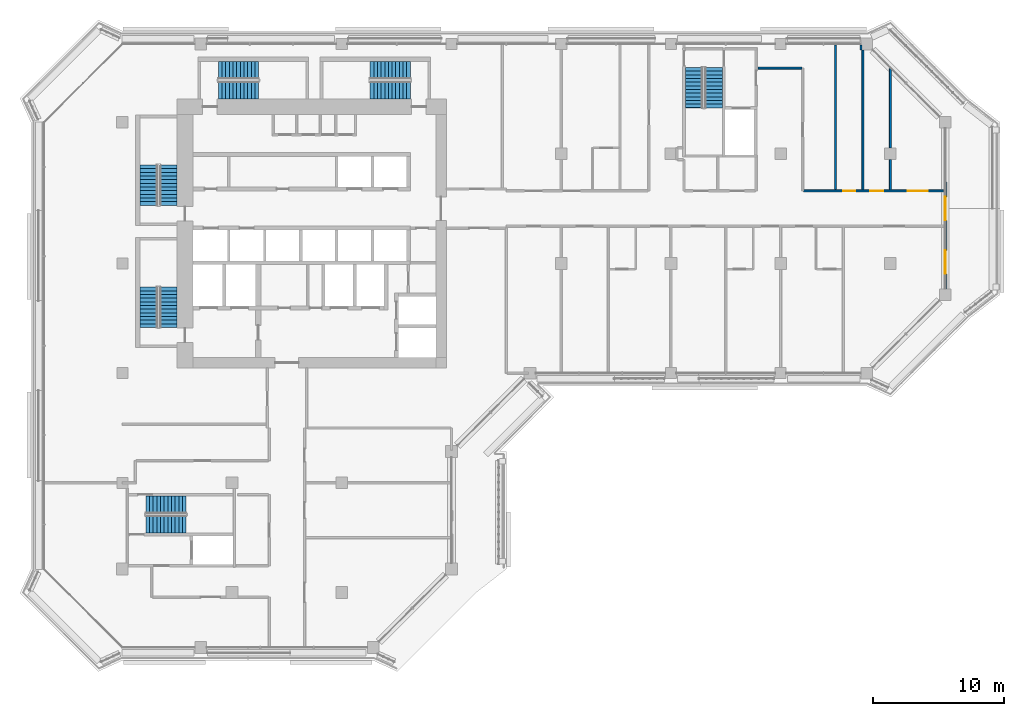
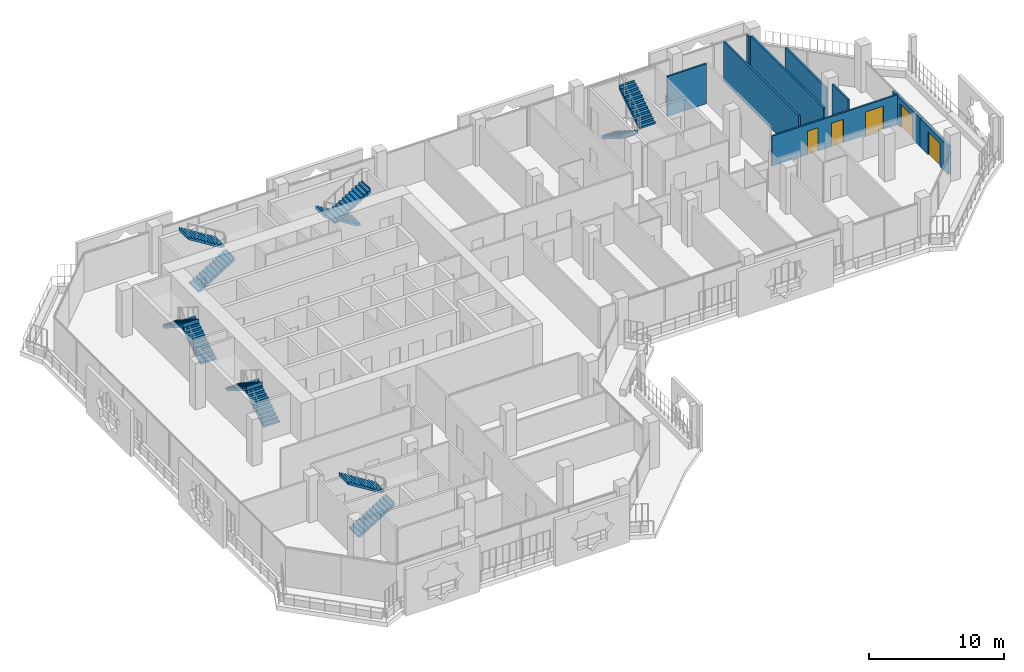
# One storey, part 13 of 21: 12 stair flights, 9 walls, 5 doors, 5 openings, 6 elements without a shape of their own.
"""IFC4 building model written with IfcOpenShell, lengths in metres."""

from ifc_helpers import new_model, si_unit, direction, frame, frame_2d, origin, place, context, subcontext, project, spatial, polyline, rectangle, outline, extrude, material, layer, layer_set, type_object, element, fill, aggregate, save


model = new_model("IFC4")

# Units and contexts
model_context = context("Model", 3, precision=1e-05, world=origin(), true_north=direction((0.0, 1.0)))
body_context = subcontext(model_context, "Body", "Model", "MODEL_VIEW")
ifc_project = project(units=[si_unit("LENGTHUNIT", "METRE"), si_unit("AREAUNIT", "SQUARE_METRE"), si_unit("VOLUMEUNIT", "CUBIC_METRE"), si_unit("PLANEANGLEUNIT", "RADIAN"), si_unit("MASSUNIT", "GRAM", prefix="KILO")], contexts=[model_context])

# Site, building, storey
site_placement = place(None, origin())
site = spatial("IfcSite", under=ifc_project, at=site_placement, CompositionType="ELEMENT")
building_placement = place(site_placement, origin())
building = spatial("IfcBuilding", under=site, at=building_placement, Name="Kawkab Arch Medical Tower", CompositionType="ELEMENT")
storey_placement = place(building_placement, frame((0.0, 0.0, 243.199951171875)))
storey = spatial("IfcBuildingStorey", under=building, at=storey_placement, Name="L56", CompositionType="ELEMENT", Elevation=243.199951171875)

# Wall, opening, door
ifc_material_1 = material(Name="Bronze clad insulated wall panel")
ifc_layer_1 = layer(ifc_material_1, 0.25)
ifc_layer_set_1 = layer_set([ifc_layer_1], Name="Bronze clad insulated wall panel")
wall_type_1 = type_object("IfcWallType", Name="External wall bay 250", PredefinedType="SOLIDWALL", material=ifc_layer_set_1)
wall_1_placement = place(storey_placement, frame((63.0, -18.75, 0.0), z_axis=(0.0, 0.0, 1.0), x_axis=(0.0, 1.0, 0.0)))
wall_1 = element("IfcWall", 1, at=wall_1_placement, inside=storey, type_object=wall_type_1, Name="External wall bay L56.R09.1.1", PredefinedType="SOLIDWALL", context=body_context, shape_type="SweptSolid", body=[
    extrude(rectangle(XDim=4.10009765625, YDim=0.25, at=frame_2d((2.050048828125, 0.0))), origin(), (0.0, 0.0, 1.0), 2.580078125),
])
opening_1_placement = place(wall_1_placement, frame((1.14990234375, 0.0, 0.0)))
opening_1 = element("IfcOpeningElement", 2, at=opening_1_placement, cuts=wall_1, Name="Opening W56-702", PredefinedType="OPENING", context=body_context, shape_type="SweptSolid", body=[
    extrude(rectangle(XDim=1.800048828125, YDim=2.10009765625, at=frame_2d((0.89990234375, 1.050048828125))), frame((0.0, 0.135009765625, 0.0), z_axis=(0.0, -1.0, 0.0), x_axis=(1.0, 0.0, 0.0)), (0.0, 0.0, 1.0), 0.27001953125),
])
ifc_material_2 = material(Name="Bronze anodised aluminium door with tinted glass", Category="aluminium")
door_type_1 = type_object("IfcDoorType", Name="Double external door 1800 x 2100", OperationType="DOUBLE_DOOR_SINGLE_SWING", PredefinedType="DOOR", material=ifc_material_2)
door_1_placement = place(opening_1_placement, origin())
door_1 = element("IfcDoor", 3, at=door_1_placement, inside=storey, type_object=door_type_1, Name="External door L56.R09.1.1", OperationType="DOUBLE_DOOR_SINGLE_SWING", OverallHeight=2.10009765625, OverallWidth=1.800048828125, PredefinedType="DOOR", context=body_context, shape_type="SweptSolid", body=[
    extrude(rectangle(XDim=1.800048828125, YDim=2.10009765625, at=frame_2d((0.89990234375, 1.050048828125))), frame((0.0, 0.02490234375, 0.0), z_axis=(0.0, -1.0, 0.0), x_axis=(1.0, 0.0, 0.0)), (0.0, 0.0, 1.0), 0.050048828125),
])
fill(opening_1, door_1)

wall_2_placement = place(storey_placement, frame((63.0, -14.64990234375, 0.0), z_axis=(0.0, 0.0, 1.0), x_axis=(0.0, 1.0, 0.0)))
wall_2 = element("IfcWall", 4, at=wall_2_placement, inside=storey, type_object=wall_type_1, Name="External wall bay L56.R09.1.2", PredefinedType="SOLIDWALL", context=body_context, shape_type="SweptSolid", body=[
    extrude(rectangle(XDim=4.099853515625, YDim=0.25, at=frame_2d((2.0498046875, 0.0))), origin(), (0.0, 0.0, 1.0), 2.580078125),
])
opening_2_placement = place(wall_2_placement, frame((1.14990234375, 0.0, 0.0)))
opening_2 = element("IfcOpeningElement", 5, at=opening_2_placement, cuts=wall_2, Name="Opening W56-702", PredefinedType="OPENING", context=body_context, shape_type="SweptSolid", body=[
    extrude(rectangle(XDim=1.800048828125, YDim=2.10009765625, at=frame_2d((0.89990234375, 1.050048828125))), frame((0.0, 0.135009765625, 0.0), z_axis=(0.0, -1.0, 0.0), x_axis=(1.0, 0.0, 0.0)), (0.0, 0.0, 1.0), 0.27001953125),
])
door_2_placement = place(opening_2_placement, origin())
door_2 = element("IfcDoor", 6, at=door_2_placement, inside=storey, type_object=door_type_1, Name="External door L56.R09.1.2", OperationType="DOUBLE_DOOR_SINGLE_SWING", OverallHeight=2.10009765625, OverallWidth=1.800048828125, PredefinedType="DOOR", context=body_context, shape_type="SweptSolid", body=[
    extrude(rectangle(XDim=1.800048828125, YDim=2.10009765625, at=frame_2d((0.89990234375, 1.050048828125))), frame((0.0, 0.02490234375, 0.0), z_axis=(0.0, -1.0, 0.0), x_axis=(1.0, 0.0, 0.0)), (0.0, 0.0, 1.0), 0.050048828125),
])
fill(opening_2, door_2)

# Wall, openings, doors
ifc_material_3 = material(Name="Gypsum board partition on steel studs, mineral wool", Category="steel")
ifc_layer_2 = layer(ifc_material_3, 0.14990234375)
ifc_layer_set_2 = layer_set([ifc_layer_2], Name="Gypsum board partition on steel studs, mineral wool")
wall_type_2 = type_object("IfcWallType", Name="Partition 150", PredefinedType="PARTITIONING", material=ifc_layer_set_2)
wall_3_placement = place(storey_placement, frame((52.16796875, -11.25, 0.0), z_axis=(0.0, 0.0, 1.0), x_axis=(1.0, 0.0, 0.0)))
wall_3 = element("IfcWall", 7, at=wall_3_placement, inside=storey, type_object=wall_type_2, Name="Partition 150 w024", PredefinedType="PARTITIONING", context=body_context, shape_type="SweptSolid", body=[
    extrude(rectangle(XDim=10.751953125, YDim=0.14990234375, at=frame_2d((5.3759765625, 0.0))), origin(), (0.0, 0.0, 1.0), 2.699951171875),
])
opening_3_placement = place(wall_3_placement, frame((3.031982421875, 0.0, 0.0)))
opening_3 = element("IfcOpeningElement", 8, at=opening_3_placement, cuts=wall_3, Name="Opening W56-010", PredefinedType="OPENING", context=body_context, shape_type="SweptSolid", body=[
    extrude(rectangle(XDim=0.89990234375, YDim=2.10009765625, at=frame_2d((0.449951171875, 1.050048828125))), frame((0.0, 0.0849609375, 0.0), z_axis=(0.0, -1.0, 0.0), x_axis=(1.0, 0.0, 0.0)), (0.0, 0.0, 1.0), 0.169921875),
])
opening_4_placement = place(wall_3_placement, frame((5.08203125, 0.0, 0.0)))
opening_4 = element("IfcOpeningElement", 9, at=opening_4_placement, cuts=wall_3, Name="Opening W56-011", PredefinedType="OPENING", context=body_context, shape_type="SweptSolid", body=[
    extrude(rectangle(XDim=1.0, YDim=2.10009765625, at=frame_2d((0.5, 1.050048828125))), frame((0.0, 0.0849609375, 0.0), z_axis=(0.0, -1.0, 0.0), x_axis=(1.0, 0.0, 0.0)), (0.0, 0.0, 1.0), 0.169921875),
])
opening_5_placement = place(wall_3_placement, frame((7.98193359375, 0.0, 0.0)))
opening_5 = element("IfcOpeningElement", 10, at=opening_5_placement, cuts=wall_3, Name="Opening W56-005", PredefinedType="OPENING", context=body_context, shape_type="SweptSolid", body=[
    extrude(rectangle(XDim=1.5, YDim=2.10009765625, at=frame_2d((0.75, 1.050048828125))), frame((0.0, 0.0849609375, 0.0), z_axis=(0.0, -1.0, 0.0), x_axis=(1.0, 0.0, 0.0)), (0.0, 0.0, 1.0), 0.169921875),
])
ifc_material_4 = material(Name="Hollow metal door leaf")
door_type_2 = type_object("IfcDoorType", Name="Double door 1500x2100 FD30S", OperationType="NOTDEFINED", PredefinedType="DOOR", material=ifc_material_4)
door_3_placement = place(opening_5_placement, origin())
door_3 = element("IfcDoor", 11, at=door_3_placement, inside=storey, type_object=door_type_2, Name="Door W56-005", OperationType="DOUBLE_DOOR_SINGLE_SWING", OverallHeight=2.10009765625, OverallWidth=1.5, PredefinedType="DOOR", context=body_context, shape_type="SweptSolid", body=[
    extrude(rectangle(XDim=1.5, YDim=2.10009765625, at=frame_2d((0.75, 1.050048828125))), frame((0.0, 0.02490234375, 0.0), z_axis=(0.0, -1.0, 0.0), x_axis=(1.0, 0.0, 0.0)), (0.0, 0.0, 1.0), 0.050048828125),
])
fill(opening_5, door_3)
ifc_material_5 = material(Name="Timber door leaf", Category="wood")
door_type_3 = type_object("IfcDoorType", Name="Single door 1000x2100", OperationType="NOTDEFINED", PredefinedType="DOOR", material=ifc_material_5)
door_4_placement = place(opening_4_placement, origin())
door_4 = element("IfcDoor", 12, at=door_4_placement, inside=storey, type_object=door_type_3, Name="Door W56-011", OperationType="SINGLE_SWING_LEFT", OverallHeight=2.10009765625, OverallWidth=1.0, PredefinedType="DOOR", context=body_context, shape_type="SweptSolid", body=[
    extrude(rectangle(XDim=1.0, YDim=2.10009765625, at=frame_2d((0.5, 1.050048828125))), frame((0.0, 0.02490234375, 0.0), z_axis=(0.0, -1.0, 0.0), x_axis=(1.0, 0.0, 0.0)), (0.0, 0.0, 1.0), 0.050048828125),
])
fill(opening_4, door_4)
ifc_material_6 = material(Name="Timber door leaf", Category="wood")
door_type_4 = type_object("IfcDoorType", Name="Single door 900x2100", OperationType="NOTDEFINED", PredefinedType="DOOR", material=ifc_material_6)
door_5_placement = place(opening_3_placement, origin())
door_5 = element("IfcDoor", 13, at=door_5_placement, inside=storey, type_object=door_type_4, Name="Door W56-010", OperationType="SINGLE_SWING_LEFT", OverallHeight=2.10009765625, OverallWidth=0.89990234375, PredefinedType="DOOR", context=body_context, shape_type="SweptSolid", body=[
    extrude(rectangle(XDim=0.89990234375, YDim=2.10009765625, at=frame_2d((0.449951171875, 1.050048828125))), frame((0.0, 0.02490234375, 0.0), z_axis=(0.0, -1.0, 0.0), x_axis=(1.0, 0.0, 0.0)), (0.0, 0.0, 1.0), 0.050048828125),
])
fill(opening_3, door_5)

# Walls
wall_4_placement = place(storey_placement, frame((48.679931640625, -1.85009765625, 0.0), z_axis=(0.0, 0.0, 1.0), x_axis=(1.0, 0.0, 0.0)))
element("IfcWall", 14, at=wall_4_placement, inside=storey, type_object=wall_type_2, Name="Partition 150 w028", PredefinedType="PARTITIONING", context=body_context, shape_type="SweptSolid", body=[
    extrude(rectangle(XDim=3.336181640625, YDim=0.14990234375, at=frame_2d((1.66796875, 0.0))), origin(), (0.0, 0.0, 1.0), 3.60009765625),
])
wall_5_placement = place(storey_placement, frame((54.60009765625, -11.175048828125, 0.0), z_axis=(0.0, 0.0, 1.0), x_axis=(0.0, 1.0, 0.0)))
element("IfcWall", 15, at=wall_5_placement, inside=storey, type_object=wall_type_2, Name="Partition 150 w054", PredefinedType="PARTITIONING", context=body_context, shape_type="SweptSolid", body=[
    extrude(rectangle(XDim=11.094970703125, YDim=0.14990234375, at=frame_2d((5.54736328125, 0.0))), origin(), (0.0, 0.0, 1.0), 3.60009765625),
])
wall_6_placement = place(storey_placement, frame((56.550048828125, -0.449951171875, 0.0), z_axis=(0.0, 0.0, 1.0), x_axis=(0.0, 1.0, 0.0)))
element("IfcWall", 16, at=wall_6_placement, inside=storey, type_object=wall_type_2, Name="Partition 150 w056", PredefinedType="PARTITIONING", context=body_context, shape_type="SweptSolid", body=[
    extrude(rectangle(XDim=0.369873046875, YDim=0.14990234375, at=frame_2d((0.18505859375, 0.0))), origin(), (0.0, 0.0, 1.0), 3.60009765625),
])
wall_7_placement = place(storey_placement, frame((56.699951171875, -11.175048828125, 0.0), z_axis=(0.0, 0.0, 1.0), x_axis=(0.0, 1.0, 0.0)))
element("IfcWall", 17, at=wall_7_placement, inside=storey, type_object=wall_type_2, Name="Partition 150 w057", PredefinedType="PARTITIONING", context=body_context, shape_type="SweptSolid", body=[
    extrude(rectangle(XDim=10.72216796875, YDim=0.14990234375, at=frame_2d((5.361083984375, 0.0))), origin(), (0.0, 0.0, 1.0), 3.60009765625),
])
wall_8_placement = place(storey_placement, frame((58.800048828125, -11.175048828125, 0.0), z_axis=(0.0, 0.0, 1.0), x_axis=(0.0, 1.0, 0.0)))
element("IfcWall", 18, at=wall_8_placement, inside=storey, type_object=wall_type_2, Name="Partition 150 w058", PredefinedType="PARTITIONING", context=body_context, shape_type="SweptSolid", body=[
    extrude(rectangle(XDim=2.324951171875, YDim=0.14990234375, at=frame_2d((1.16259765625, 0.0))), origin(), (0.0, 0.0, 1.0), 3.60009765625),
])
wall_9_placement = place(storey_placement, frame((58.800048828125, -7.949951171875, 0.0), z_axis=(0.0, 0.0, 1.0), x_axis=(0.0, 1.0, 0.0)))
element("IfcWall", 19, at=wall_9_placement, inside=storey, type_object=wall_type_2, Name="Partition 150 w059", PredefinedType="PARTITIONING", context=body_context, shape_type="SweptSolid", body=[
    extrude(rectangle(XDim=6.036865234375, YDim=0.14990234375, at=frame_2d((3.0185546875, 0.0))), origin(), (0.0, 0.0, 1.0), 2.699951171875),
])

# Stair, stair flights
ifc_material_7 = material(Name="Concrete C40/50", Category="concrete")
stair_type = type_object("IfcStairType", Name="Exit stair 1350", PredefinedType="HALF_TURN_STAIR", material=ifc_material_7)
placement = place(storey_placement, origin())
stair_1 = element("IfcStair", 20, at=placement, inside=storey, type_object=stair_type, Name="L56 Exit stair ST1", PredefinedType="HALF_TURN_STAIR")
ifc_material_8 = material(Name="Concrete C40/50", Category="concrete")
stair_flight_type = type_object("IfcStairFlightType", Name="Exit stair flight 1350", PredefinedType="STRAIGHT", material=ifc_material_8)
stair_flight_1_placement = place(storey_placement, frame((3.52490234375, -12.35009765625, 0.0), z_axis=(0.0, 0.0, 1.0), x_axis=(0.0, 1.0, 0.0)))
stair_flight_1 = element("IfcStairFlight", 21, at=stair_flight_1_placement, type_object=stair_flight_type, Name="ST1 flight 1", NumberOfRisers=12, NumberOfTreads=11, PredefinedType="STRAIGHT", RiserHeight=0.175, TreadLength=0.28, context=body_context, shape_type="SweptSolid", body=[
    extrude(outline(polyline([(-0.0029296875, 0.0), (-0.0029296875, 0.175048828125), (0.0, 0.175048828125), (0.280029296875, 0.175048828125), (0.280029296875, 0.35009765625), (0.56005859375, 0.35009765625), (0.56005859375, 0.52490234375), (0.840087890625, 0.52490234375), (0.840087890625, 0.699951171875), (1.1201171875, 0.699951171875), (1.1201171875, 0.875), (1.39990234375, 0.875), (1.39990234375, 1.050048828125), (1.679931640625, 1.050048828125), (1.679931640625, 1.22509765625), (1.9599609375, 1.22509765625), (1.9599609375, 1.39990234375), (2.239990234375, 1.39990234375), (2.239990234375, 1.574951171875), (2.52001953125, 1.574951171875), (2.52001953125, 1.75), (2.800048828125, 1.75), (2.800048828125, 1.925048828125), (3.080078125, 1.925048828125), (3.080078125, 2.10009765625), (3.0830078125, 2.10009765625), (3.0830078125, 1.748291015625), (3.080078125, 1.748291015625), (0.28271484375, 0.0), (-0.0029296875, 0.0)])), frame((0.0, 0.675048828125, 0.0), z_axis=(0.0, -1.0, 0.0), x_axis=(1.0, 0.0, 0.0)), (0.0, 0.0, 1.0), 1.35009765625),
])
stair_flight_2_placement = place(storey_placement, frame((2.02490234375, -9.27001953125, 2.10009765625), z_axis=(0.0, 0.0, 1.0), x_axis=(0.0, -1.0, 0.0)))
stair_flight_2 = element("IfcStairFlight", 22, at=stair_flight_2_placement, type_object=stair_flight_type, Name="ST1 flight 2", NumberOfRisers=12, NumberOfTreads=11, PredefinedType="STRAIGHT", RiserHeight=0.175, TreadLength=0.28, context=body_context, shape_type="SweptSolid", body=[
    extrude(outline(polyline([(-0.0029296875, 0.0), (-0.0029296875, 0.175048828125), (0.0, 0.175048828125), (0.280029296875, 0.175048828125), (0.280029296875, 0.35009765625), (0.56005859375, 0.35009765625), (0.56005859375, 0.52490234375), (0.840087890625, 0.52490234375), (0.840087890625, 0.699951171875), (1.1201171875, 0.699951171875), (1.1201171875, 0.875), (1.39990234375, 0.875), (1.39990234375, 1.050048828125), (1.679931640625, 1.050048828125), (1.679931640625, 1.22509765625), (1.9599609375, 1.22509765625), (1.9599609375, 1.39990234375), (2.239990234375, 1.39990234375), (2.239990234375, 1.574951171875), (2.52001953125, 1.574951171875), (2.52001953125, 1.75), (2.800048828125, 1.75), (2.800048828125, 1.925048828125), (3.080078125, 1.925048828125), (3.080078125, 2.10009765625), (3.0830078125, 2.10009765625), (3.0830078125, 1.748291015625), (3.080078125, 1.748291015625), (0.28271484375, 0.0), (-0.0029296875, 0.0)])), frame((0.0, 0.675048828125, 0.0), z_axis=(0.0, -1.0, 0.0), x_axis=(1.0, 0.0, 0.0)), (0.0, 0.0, 1.0), 1.35009765625),
])
aggregate(stair_1, [stair_flight_1, stair_flight_2])

stair_2 = element("IfcStair", 23, at=placement, inside=storey, type_object=stair_type, Name="L56 Exit stair ST2", PredefinedType="HALF_TURN_STAIR")
stair_flight_3_placement = place(storey_placement, frame((3.52490234375, -21.699951171875, 0.0), z_axis=(0.0, 0.0, 1.0), x_axis=(0.0, 1.0, 0.0)))
stair_flight_3 = element("IfcStairFlight", 24, at=stair_flight_3_placement, type_object=stair_flight_type, Name="ST2 flight 1", NumberOfRisers=12, NumberOfTreads=11, PredefinedType="STRAIGHT", RiserHeight=0.175, TreadLength=0.28, context=body_context, shape_type="SweptSolid", body=[
    extrude(outline(polyline([(-0.0029296875, 0.0), (-0.0029296875, 0.175048828125), (0.0, 0.175048828125), (0.280029296875, 0.175048828125), (0.280029296875, 0.35009765625), (0.56005859375, 0.35009765625), (0.56005859375, 0.52490234375), (0.840087890625, 0.52490234375), (0.840087890625, 0.699951171875), (1.1201171875, 0.699951171875), (1.1201171875, 0.875), (1.39990234375, 0.875), (1.39990234375, 1.050048828125), (1.679931640625, 1.050048828125), (1.679931640625, 1.22509765625), (1.9599609375, 1.22509765625), (1.9599609375, 1.39990234375), (2.239990234375, 1.39990234375), (2.239990234375, 1.574951171875), (2.52001953125, 1.574951171875), (2.52001953125, 1.75), (2.800048828125, 1.75), (2.800048828125, 1.925048828125), (3.080078125, 1.925048828125), (3.080078125, 2.10009765625), (3.0830078125, 2.10009765625), (3.0830078125, 1.748291015625), (3.080078125, 1.748291015625), (0.28271484375, 0.0), (-0.0029296875, 0.0)])), frame((0.0, 0.675048828125, 0.0), z_axis=(0.0, -1.0, 0.0), x_axis=(1.0, 0.0, 0.0)), (0.0, 0.0, 1.0), 1.35009765625),
])
stair_flight_4_placement = place(storey_placement, frame((2.02490234375, -18.6201171875, 2.10009765625), z_axis=(0.0, 0.0, 1.0), x_axis=(0.0, -1.0, 0.0)))
stair_flight_4 = element("IfcStairFlight", 25, at=stair_flight_4_placement, type_object=stair_flight_type, Name="ST2 flight 2", NumberOfRisers=12, NumberOfTreads=11, PredefinedType="STRAIGHT", RiserHeight=0.175, TreadLength=0.28, context=body_context, shape_type="SweptSolid", body=[
    extrude(outline(polyline([(-0.0029296875, 0.0), (-0.0029296875, 0.175048828125), (0.0, 0.175048828125), (0.280029296875, 0.175048828125), (0.280029296875, 0.35009765625), (0.56005859375, 0.35009765625), (0.56005859375, 0.52490234375), (0.840087890625, 0.52490234375), (0.840087890625, 0.699951171875), (1.1201171875, 0.699951171875), (1.1201171875, 0.875), (1.39990234375, 0.875), (1.39990234375, 1.050048828125), (1.679931640625, 1.050048828125), (1.679931640625, 1.22509765625), (1.9599609375, 1.22509765625), (1.9599609375, 1.39990234375), (2.239990234375, 1.39990234375), (2.239990234375, 1.574951171875), (2.52001953125, 1.574951171875), (2.52001953125, 1.75), (2.800048828125, 1.75), (2.800048828125, 1.925048828125), (3.080078125, 1.925048828125), (3.080078125, 2.10009765625), (3.0830078125, 2.10009765625), (3.0830078125, 1.748291015625), (3.080078125, 1.748291015625), (0.28271484375, 0.0), (-0.0029296875, 0.0)])), frame((0.0, 0.675048828125, 0.0), z_axis=(0.0, -1.0, 0.0), x_axis=(1.0, 0.0, 0.0)), (0.0, 0.0, 1.0), 1.35009765625),
])
aggregate(stair_2, [stair_flight_3, stair_flight_4])

stair_3 = element("IfcStair", 26, at=placement, inside=storey, type_object=stair_type, Name="L56 Exit stair ST3", PredefinedType="HALF_TURN_STAIR")
stair_flight_5_placement = place(storey_placement, frame((7.35009765625, -3.52490234375, 0.0), z_axis=(0.0, 0.0, 1.0), x_axis=(1.0, 0.0, 0.0)))
stair_flight_5 = element("IfcStairFlight", 27, at=stair_flight_5_placement, type_object=stair_flight_type, Name="ST3 flight 1", NumberOfRisers=12, NumberOfTreads=11, PredefinedType="STRAIGHT", RiserHeight=0.175, TreadLength=0.28, context=body_context, shape_type="SweptSolid", body=[
    extrude(outline(polyline([(-0.0029296875, 0.0), (-0.0029296875, 0.175048828125), (0.0, 0.175048828125), (0.280029296875, 0.175048828125), (0.280029296875, 0.35009765625), (0.56005859375, 0.35009765625), (0.56005859375, 0.52490234375), (0.840087890625, 0.52490234375), (0.840087890625, 0.699951171875), (1.1201171875, 0.699951171875), (1.1201171875, 0.875), (1.39990234375, 0.875), (1.39990234375, 1.050048828125), (1.679931640625, 1.050048828125), (1.679931640625, 1.22509765625), (1.9599609375, 1.22509765625), (1.9599609375, 1.39990234375), (2.239990234375, 1.39990234375), (2.239990234375, 1.574951171875), (2.52001953125, 1.574951171875), (2.52001953125, 1.75), (2.800048828125, 1.75), (2.800048828125, 1.925048828125), (3.080078125, 1.925048828125), (3.080078125, 2.10009765625), (3.0830078125, 2.10009765625), (3.0830078125, 1.748291015625), (3.080078125, 1.748291015625), (0.28271484375, 0.0), (-0.0029296875, 0.0)])), frame((0.0, 0.675048828125, 0.0), z_axis=(0.0, -1.0, 0.0), x_axis=(1.0, 0.0, 0.0)), (0.0, 0.0, 1.0), 1.35009765625),
])
stair_flight_6_placement = place(storey_placement, frame((10.429931640625, -2.02490234375, 2.10009765625), z_axis=(0.0, 0.0, 1.0), x_axis=(-1.0, 0.0, 0.0)))
stair_flight_6 = element("IfcStairFlight", 28, at=stair_flight_6_placement, type_object=stair_flight_type, Name="ST3 flight 2", NumberOfRisers=12, NumberOfTreads=11, PredefinedType="STRAIGHT", RiserHeight=0.175, TreadLength=0.28, context=body_context, shape_type="SweptSolid", body=[
    extrude(outline(polyline([(-0.0029296875, 0.0), (-0.0029296875, 0.175048828125), (0.0, 0.175048828125), (0.280029296875, 0.175048828125), (0.280029296875, 0.35009765625), (0.56005859375, 0.35009765625), (0.56005859375, 0.52490234375), (0.840087890625, 0.52490234375), (0.840087890625, 0.699951171875), (1.1201171875, 0.699951171875), (1.1201171875, 0.875), (1.39990234375, 0.875), (1.39990234375, 1.050048828125), (1.679931640625, 1.050048828125), (1.679931640625, 1.22509765625), (1.9599609375, 1.22509765625), (1.9599609375, 1.39990234375), (2.239990234375, 1.39990234375), (2.239990234375, 1.574951171875), (2.52001953125, 1.574951171875), (2.52001953125, 1.75), (2.800048828125, 1.75), (2.800048828125, 1.925048828125), (3.080078125, 1.925048828125), (3.080078125, 2.10009765625), (3.0830078125, 2.10009765625), (3.0830078125, 1.748291015625), (3.080078125, 1.748291015625), (0.28271484375, 0.0), (-0.0029296875, 0.0)])), frame((0.0, 0.675048828125, 0.0), z_axis=(0.0, -1.0, 0.0), x_axis=(1.0, 0.0, 0.0)), (0.0, 0.0, 1.0), 1.35009765625),
])
aggregate(stair_3, [stair_flight_5, stair_flight_6])

stair_4 = element("IfcStair", 29, at=placement, inside=storey, type_object=stair_type, Name="L56 Exit stair ST4", PredefinedType="HALF_TURN_STAIR")
stair_flight_7_placement = place(storey_placement, frame((22.050048828125, -2.02490234375, 0.0), z_axis=(0.0, 0.0, 1.0), x_axis=(-1.0, 0.0, 0.0)))
stair_flight_7 = element("IfcStairFlight", 30, at=stair_flight_7_placement, type_object=stair_flight_type, Name="ST4 flight 1", NumberOfRisers=12, NumberOfTreads=11, PredefinedType="STRAIGHT", RiserHeight=0.175, TreadLength=0.28, context=body_context, shape_type="SweptSolid", body=[
    extrude(outline(polyline([(-0.0029296875, 0.0), (-0.0029296875, 0.175048828125), (0.0, 0.175048828125), (0.280029296875, 0.175048828125), (0.280029296875, 0.35009765625), (0.56005859375, 0.35009765625), (0.56005859375, 0.52490234375), (0.840087890625, 0.52490234375), (0.840087890625, 0.699951171875), (1.1201171875, 0.699951171875), (1.1201171875, 0.875), (1.39990234375, 0.875), (1.39990234375, 1.050048828125), (1.679931640625, 1.050048828125), (1.679931640625, 1.22509765625), (1.9599609375, 1.22509765625), (1.9599609375, 1.39990234375), (2.239990234375, 1.39990234375), (2.239990234375, 1.574951171875), (2.52001953125, 1.574951171875), (2.52001953125, 1.75), (2.800048828125, 1.75), (2.800048828125, 1.925048828125), (3.080078125, 1.925048828125), (3.080078125, 2.10009765625), (3.0830078125, 2.10009765625), (3.0830078125, 1.748291015625), (3.080078125, 1.748291015625), (0.28271484375, 0.0), (-0.0029296875, 0.0)])), frame((0.0, 0.675048828125, 0.0), z_axis=(0.0, -1.0, 0.0), x_axis=(1.0, 0.0, 0.0)), (0.0, 0.0, 1.0), 1.35009765625),
])
stair_flight_8_placement = place(storey_placement, frame((18.969970703125, -3.52490234375, 2.10009765625), z_axis=(0.0, 0.0, 1.0), x_axis=(1.0, 0.0, 0.0)))
stair_flight_8 = element("IfcStairFlight", 31, at=stair_flight_8_placement, type_object=stair_flight_type, Name="ST4 flight 2", NumberOfRisers=12, NumberOfTreads=11, PredefinedType="STRAIGHT", RiserHeight=0.175, TreadLength=0.28, context=body_context, shape_type="SweptSolid", body=[
    extrude(outline(polyline([(-0.0029296875, 0.0), (-0.0029296875, 0.175048828125), (0.0, 0.175048828125), (0.280029296875, 0.175048828125), (0.280029296875, 0.35009765625), (0.56005859375, 0.35009765625), (0.56005859375, 0.52490234375), (0.840087890625, 0.52490234375), (0.840087890625, 0.699951171875), (1.1201171875, 0.699951171875), (1.1201171875, 0.875), (1.39990234375, 0.875), (1.39990234375, 1.050048828125), (1.679931640625, 1.050048828125), (1.679931640625, 1.22509765625), (1.9599609375, 1.22509765625), (1.9599609375, 1.39990234375), (2.239990234375, 1.39990234375), (2.239990234375, 1.574951171875), (2.52001953125, 1.574951171875), (2.52001953125, 1.75), (2.800048828125, 1.75), (2.800048828125, 1.925048828125), (3.080078125, 1.925048828125), (3.080078125, 2.10009765625), (3.0830078125, 2.10009765625), (3.0830078125, 1.748291015625), (3.080078125, 1.748291015625), (0.28271484375, 0.0), (-0.0029296875, 0.0)])), frame((0.0, 0.675048828125, 0.0), z_axis=(0.0, -1.0, 0.0), x_axis=(1.0, 0.0, 0.0)), (0.0, 0.0, 1.0), 1.35009765625),
])
aggregate(stair_4, [stair_flight_7, stair_flight_8])

stair_5 = element("IfcStair", 32, at=placement, inside=storey, type_object=stair_type, Name="L56 Exit stair ST5", PredefinedType="HALF_TURN_STAIR")
stair_flight_9_placement = place(storey_placement, frame((43.77490234375, -1.800048828125, 0.0), z_axis=(0.0, 0.0, 1.0), x_axis=(0.0, -1.0, 0.0)))
stair_flight_9 = element("IfcStairFlight", 33, at=stair_flight_9_placement, type_object=stair_flight_type, Name="ST5 flight 1", NumberOfRisers=12, NumberOfTreads=11, PredefinedType="STRAIGHT", RiserHeight=0.175, TreadLength=0.28, context=body_context, shape_type="SweptSolid", body=[
    extrude(outline(polyline([(-0.0029296875, 0.0), (-0.0029296875, 0.175048828125), (0.0, 0.175048828125), (0.280029296875, 0.175048828125), (0.280029296875, 0.35009765625), (0.56005859375, 0.35009765625), (0.56005859375, 0.52490234375), (0.840087890625, 0.52490234375), (0.840087890625, 0.699951171875), (1.1201171875, 0.699951171875), (1.1201171875, 0.875), (1.39990234375, 0.875), (1.39990234375, 1.050048828125), (1.679931640625, 1.050048828125), (1.679931640625, 1.22509765625), (1.9599609375, 1.22509765625), (1.9599609375, 1.39990234375), (2.239990234375, 1.39990234375), (2.239990234375, 1.574951171875), (2.52001953125, 1.574951171875), (2.52001953125, 1.75), (2.800048828125, 1.75), (2.800048828125, 1.925048828125), (3.080078125, 1.925048828125), (3.080078125, 2.10009765625), (3.0830078125, 2.10009765625), (3.0830078125, 1.748291015625), (3.080078125, 1.748291015625), (0.28271484375, 0.0), (-0.0029296875, 0.0)])), frame((0.0, 0.675048828125, 0.0), z_axis=(0.0, -1.0, 0.0), x_axis=(1.0, 0.0, 0.0)), (0.0, 0.0, 1.0), 1.35009765625),
])
stair_flight_10_placement = place(storey_placement, frame((45.27490234375, -4.8798828125, 2.10009765625), z_axis=(0.0, 0.0, 1.0), x_axis=(0.0, 1.0, 0.0)))
stair_flight_10 = element("IfcStairFlight", 34, at=stair_flight_10_placement, type_object=stair_flight_type, Name="ST5 flight 2", NumberOfRisers=12, NumberOfTreads=11, PredefinedType="STRAIGHT", RiserHeight=0.175, TreadLength=0.28, context=body_context, shape_type="SweptSolid", body=[
    extrude(outline(polyline([(-0.0029296875, 0.0), (-0.0029296875, 0.175048828125), (0.0, 0.175048828125), (0.280029296875, 0.175048828125), (0.280029296875, 0.35009765625), (0.56005859375, 0.35009765625), (0.56005859375, 0.52490234375), (0.840087890625, 0.52490234375), (0.840087890625, 0.699951171875), (1.1201171875, 0.699951171875), (1.1201171875, 0.875), (1.39990234375, 0.875), (1.39990234375, 1.050048828125), (1.679931640625, 1.050048828125), (1.679931640625, 1.22509765625), (1.9599609375, 1.22509765625), (1.9599609375, 1.39990234375), (2.239990234375, 1.39990234375), (2.239990234375, 1.574951171875), (2.52001953125, 1.574951171875), (2.52001953125, 1.75), (2.800048828125, 1.75), (2.800048828125, 1.925048828125), (3.080078125, 1.925048828125), (3.080078125, 2.10009765625), (3.0830078125, 2.10009765625), (3.0830078125, 1.748291015625), (3.080078125, 1.748291015625), (0.28271484375, 0.0), (-0.0029296875, 0.0)])), frame((0.0, 0.675048828125, 0.0), z_axis=(0.0, -1.0, 0.0), x_axis=(1.0, 0.0, 0.0)), (0.0, 0.0, 1.0), 1.35009765625),
])
aggregate(stair_5, [stair_flight_9, stair_flight_10])

stair_6 = element("IfcStair", 35, at=placement, inside=storey, type_object=stair_type, Name="L56 Exit stair ST6", PredefinedType="HALF_TURN_STAIR")
stair_flight_11_placement = place(storey_placement, frame((1.800048828125, -36.77490234375, 0.0), z_axis=(0.0, 0.0, 1.0), x_axis=(1.0, 0.0, 0.0)))
stair_flight_11 = element("IfcStairFlight", 36, at=stair_flight_11_placement, type_object=stair_flight_type, Name="ST6 flight 1", NumberOfRisers=12, NumberOfTreads=11, PredefinedType="STRAIGHT", RiserHeight=0.175, TreadLength=0.28, context=body_context, shape_type="SweptSolid", body=[
    extrude(outline(polyline([(-0.0029296875, 0.0), (-0.0029296875, 0.175048828125), (0.0, 0.175048828125), (0.280029296875, 0.175048828125), (0.280029296875, 0.35009765625), (0.56005859375, 0.35009765625), (0.56005859375, 0.52490234375), (0.840087890625, 0.52490234375), (0.840087890625, 0.699951171875), (1.1201171875, 0.699951171875), (1.1201171875, 0.875), (1.39990234375, 0.875), (1.39990234375, 1.050048828125), (1.679931640625, 1.050048828125), (1.679931640625, 1.22509765625), (1.9599609375, 1.22509765625), (1.9599609375, 1.39990234375), (2.239990234375, 1.39990234375), (2.239990234375, 1.574951171875), (2.52001953125, 1.574951171875), (2.52001953125, 1.75), (2.800048828125, 1.75), (2.800048828125, 1.925048828125), (3.080078125, 1.925048828125), (3.080078125, 2.10009765625), (3.0830078125, 2.10009765625), (3.0830078125, 1.748291015625), (3.080078125, 1.748291015625), (0.28271484375, 0.0), (-0.0029296875, 0.0)])), frame((0.0, 0.675048828125, 0.0), z_axis=(0.0, -1.0, 0.0), x_axis=(1.0, 0.0, 0.0)), (0.0, 0.0, 1.0), 1.35009765625),
])
stair_flight_12_placement = place(storey_placement, frame((4.8798828125, -35.27490234375, 2.10009765625), z_axis=(0.0, 0.0, 1.0), x_axis=(-1.0, 0.0, 0.0)))
stair_flight_12 = element("IfcStairFlight", 37, at=stair_flight_12_placement, type_object=stair_flight_type, Name="ST6 flight 2", NumberOfRisers=12, NumberOfTreads=11, PredefinedType="STRAIGHT", RiserHeight=0.175, TreadLength=0.28, context=body_context, shape_type="SweptSolid", body=[
    extrude(outline(polyline([(-0.0029296875, 0.0), (-0.0029296875, 0.175048828125), (0.0, 0.175048828125), (0.280029296875, 0.175048828125), (0.280029296875, 0.35009765625), (0.56005859375, 0.35009765625), (0.56005859375, 0.52490234375), (0.840087890625, 0.52490234375), (0.840087890625, 0.699951171875), (1.1201171875, 0.699951171875), (1.1201171875, 0.875), (1.39990234375, 0.875), (1.39990234375, 1.050048828125), (1.679931640625, 1.050048828125), (1.679931640625, 1.22509765625), (1.9599609375, 1.22509765625), (1.9599609375, 1.39990234375), (2.239990234375, 1.39990234375), (2.239990234375, 1.574951171875), (2.52001953125, 1.574951171875), (2.52001953125, 1.75), (2.800048828125, 1.75), (2.800048828125, 1.925048828125), (3.080078125, 1.925048828125), (3.080078125, 2.10009765625), (3.0830078125, 2.10009765625), (3.0830078125, 1.748291015625), (3.080078125, 1.748291015625), (0.28271484375, 0.0), (-0.0029296875, 0.0)])), frame((0.0, 0.675048828125, 0.0), z_axis=(0.0, -1.0, 0.0), x_axis=(1.0, 0.0, 0.0)), (0.0, 0.0, 1.0), 1.35009765625),
])
aggregate(stair_6, [stair_flight_11, stair_flight_12])

save(model, "model.ifc")
